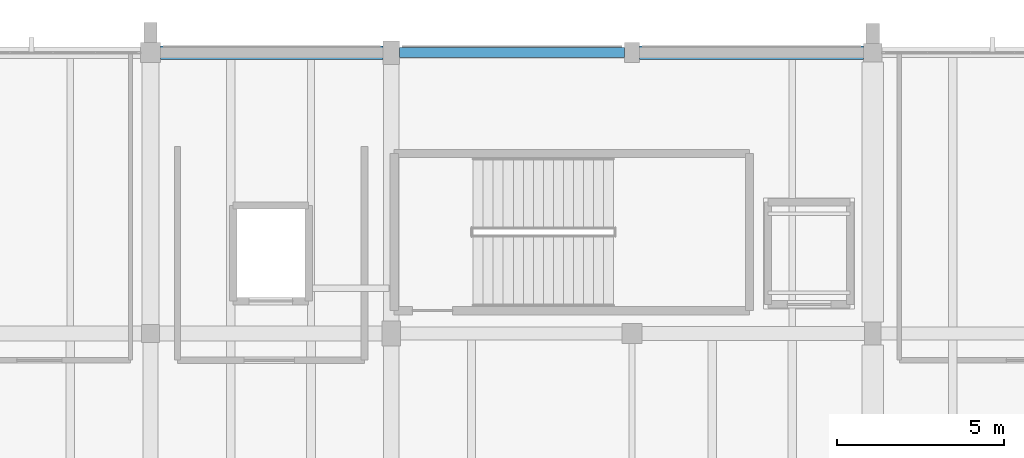
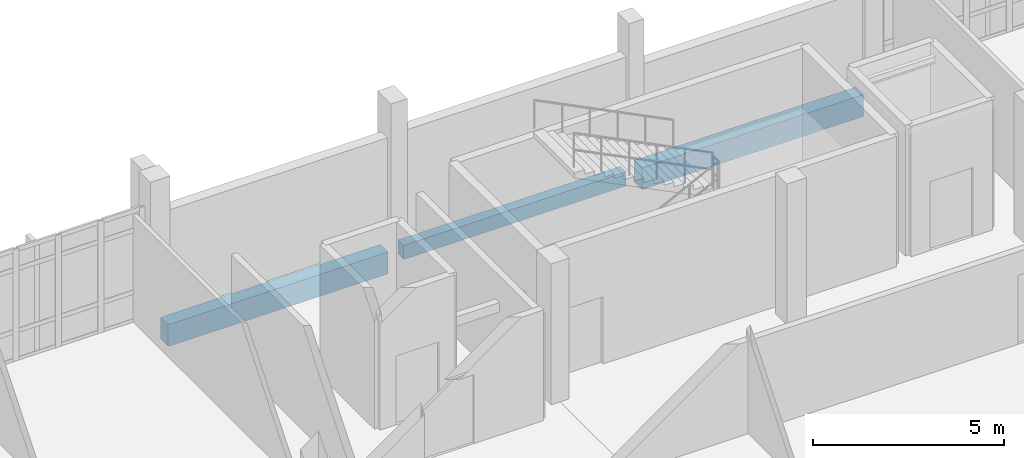
# One storey, part 17 of 41: 3 beams.
"""IFC4 building model written with IfcOpenShell, lengths in metres."""

from ifc_helpers import new_model, si_unit, direction, frame, origin, origin_2d, place, context, subcontext, project, spatial, rectangle, extrude, material, material_profile, profile_set, type_object, element, save


model = new_model("IFC4")

# Units and contexts
model_context = context("Model", 3, precision=1e-05, world=origin(), true_north=direction((0.0, 1.0)))
body_context = subcontext(model_context, "Body", "Model", "MODEL_VIEW")
ifc_project = project(units=[si_unit("LENGTHUNIT", "METRE"), si_unit("AREAUNIT", "SQUARE_METRE"), si_unit("VOLUMEUNIT", "CUBIC_METRE"), si_unit("PLANEANGLEUNIT", "RADIAN"), si_unit("MASSUNIT", "GRAM", prefix="KILO")], contexts=[model_context])

# Site, building, storey
site_placement = place(None, origin())
site = spatial("IfcSite", under=ifc_project, at=site_placement, CompositionType="ELEMENT")
building_placement = place(site_placement, origin())
building = spatial("IfcBuilding", under=site, at=building_placement, Name="Kalluvel Institute of Natural Sciences", CompositionType="ELEMENT")
storey_placement = place(building_placement, frame((0.0, 0.0, 32.39990234375)))
storey = spatial("IfcBuildingStorey", under=building, at=storey_placement, Name="L07", CompositionType="ELEMENT", Elevation=32.39990234375)

# Beams
ifc_material = material(Name="Concrete M40", Category="concrete")
ifc_material_profile_1 = material_profile(ifc_material, rectangle(XDim=0.300048828125, YDim=0.449951171875, at=origin_2d()), Name="RCB 300x450")
ifc_profile_set_1 = profile_set([ifc_material_profile_1], Name="Concrete M40")
beam_type_1 = type_object("IfcBeamType", Name="SP-RC300x450", PredefinedType="SPANDREL", material=ifc_profile_set_1)
beam_1_placement = place(storey_placement, frame((64.64990234375, 128.0, -0.544921875), z_axis=(1.0, 0.0, 0.0), x_axis=(0.0, 1.0, 0.0)))
element("IfcBeam", 1, at=beam_1_placement, inside=storey, type_object=beam_type_1, Name="L07 girder GIR-L07-EW-X644-Y1280", PredefinedType="SPANDREL", context=body_context, shape_type="SweptSolid", body=[
    extrude(rectangle(XDim=0.300048828125, YDim=0.449951171875, at=origin_2d()), origin(), (0.0, 0.0, 1.0), 6.72509765625),
])
ifc_material_profile_2 = material_profile(ifc_material, rectangle(XDim=0.39990234375, YDim=0.699951171875, at=origin_2d()), Name="RCB 400x700")
ifc_profile_set_2 = profile_set([ifc_material_profile_2], Name="Concrete M40")
beam_type_2 = type_object("IfcBeamType", Name="SP-RC400x700", PredefinedType="SPANDREL", material=ifc_profile_set_2)
beam_2_placement = place(storey_placement, frame((57.5, 128.0, -0.669921875), z_axis=(1.0, 0.0, 0.0), x_axis=(0.0, 1.0, 0.0)))
element("IfcBeam", 2, at=beam_2_placement, inside=storey, type_object=beam_type_2, Name="L07 girder GIR-L07-EW-X572-Y1280", PredefinedType="SPANDREL", context=body_context, shape_type="SweptSolid", body=[
    extrude(rectangle(XDim=0.39990234375, YDim=0.699951171875, at=origin_2d()), origin(), (0.0, 0.0, 1.0), 6.64990234375),
])
beam_3_placement = place(storey_placement, frame((71.824951171875, 128.0, -0.669921875), z_axis=(1.0, 0.0, 0.0), x_axis=(0.0, 1.0, 0.0)))
element("IfcBeam", 3, at=beam_3_placement, inside=storey, type_object=beam_type_2, Name="L07 girder GIR-L07-EW-X716-Y1280", PredefinedType="SPANDREL", context=body_context, shape_type="SweptSolid", body=[
    extrude(rectangle(XDim=0.39990234375, YDim=0.699951171875, at=origin_2d()), origin(), (0.0, 0.0, 1.0), 6.699951171875),
])

save(model, "model.ifc")
